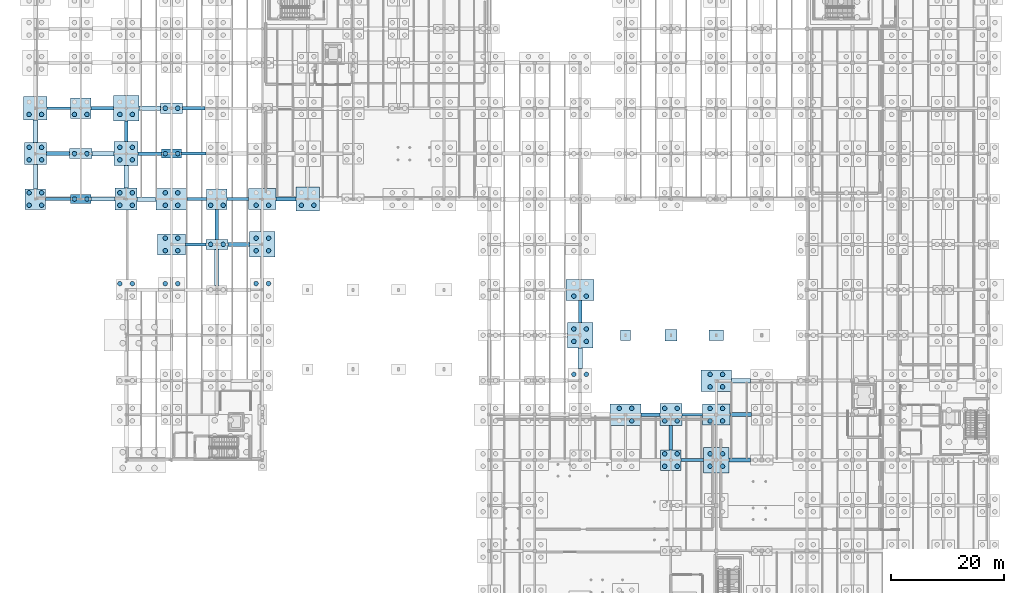
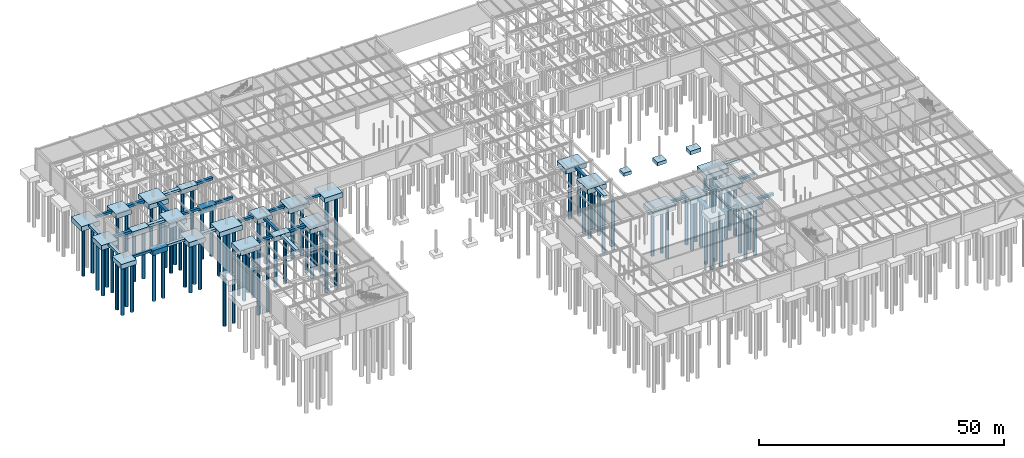
# One storey, part 3 of 71: 87 piles, 60 footings.
"""IFC4 building model written with IfcOpenShell, lengths in metres."""

import ifcopenshell
import ifcopenshell.guid

model = None  # the IFC model being written
_history = None  # IfcOwnerHistory: only IFC2X3 demands one
_inside = {}  # id of a spatial element -> (the spatial element, [elements in it])
_under = {}  # id of a project, library or spatial element -> (it, [spatial elements below it])
_declared = {}  # id of a project -> (the project, [libraries it declares])
_typed = {}  # id of a type object -> (the type object, [elements of that type])
_made_of = {}  # id of a material, layer set ... -> (it, [elements and type objects made of it])


def new_model(schema):
    """Start an empty IFC model of exactly this schema.

    Asked for "IFC4X3", IfcOpenShell would pick the latest addendum, in which some entities
    have other attributes; the version numbers below select the first issue.
    IFC2X3 requires an IfcOwnerHistory on every rooted entity: one is made here for all.
    """
    global model, _history
    if schema == "IFC4X3":
        model = ifcopenshell.file(schema_version=(4, 3, 0, 0))
    else:
        model = ifcopenshell.file(schema=schema)
    _inside.clear()
    _under.clear()
    _declared.clear()
    _typed.clear()
    _made_of.clear()
    _history = None
    if model.schema == "IFC2X3":
        org = make("IfcOrganization", Name="unknown")
        user = make(
            "IfcPersonAndOrganization",
            ThePerson=make("IfcPerson", FamilyName="unknown"),
            TheOrganization=org,
        )
        app = make(
            "IfcApplication",
            ApplicationDeveloper=org,
            Version="unknown",
            ApplicationFullName="unknown",
            ApplicationIdentifier="unknown",
        )
        _history = make(
            "IfcOwnerHistory",
            OwningUser=user,
            OwningApplication=app,
            ChangeAction="ADDED",
            CreationDate=0,
        )
    return model


def make(cls, **values):
    """One entity of the class cls with the attributes given. An attribute that is None is left unset."""
    return model.create_entity(
        cls, **{name: value for name, value in values.items() if value is not None}
    )


def rooted(cls, **values):
    """An entity with a GlobalId (a new one), such as an element, a storey or a relation."""
    return make(cls, GlobalId=ifcopenshell.guid.new(), OwnerHistory=_history, **values)


def si_unit(unit_type, name, prefix=None):
    """IfcSIUnit, for example si_unit("LENGTHUNIT", "METRE", prefix="MILLI")."""
    return make("IfcSIUnit", UnitType=unit_type, Prefix=prefix, Name=name)


def assignment(units):
    """IfcUnitAssignment: the units of a project."""
    return None if units is None else make("IfcUnitAssignment", Units=units)


def point(xyz):
    """IfcCartesianPoint."""
    return None if xyz is None else make("IfcCartesianPoint", Coordinates=xyz)


def direction(xyz):
    """IfcDirection."""
    return None if xyz is None else make("IfcDirection", DirectionRatios=xyz)


def frame(location, z_axis=None, x_axis=None):
    """IfcAxis2Placement3D, a coordinate frame: its origin and axes. An axis left out is left unset."""
    return make(
        "IfcAxis2Placement3D",
        Location=point(location),
        Axis=direction(z_axis),
        RefDirection=direction(x_axis),
    )


def frame_2d(location, x_axis=None):
    """IfcAxis2Placement2D, a coordinate frame in the plane: its origin and x axis."""
    return make(
        "IfcAxis2Placement2D", Location=point(location), RefDirection=direction(x_axis)
    )


def origin():
    """The frame at (0, 0, 0) with its axes left unset."""
    return frame((0.0, 0.0, 0.0))


def origin_2d():
    """The frame at (0, 0) in the plane with its x axis left unset."""
    return frame_2d((0.0, 0.0))


def place(relative_to, where):
    """IfcLocalPlacement: puts the frame where relative to a parent placement (None: the world)."""
    return make(
        "IfcLocalPlacement", PlacementRelTo=relative_to, RelativePlacement=where
    )


def context(
    kind, dimensions, precision=None, world=None, true_north=None, identifier=None
):
    """IfcGeometricRepresentationContext, for example the 3D "Model" context."""
    return make(
        "IfcGeometricRepresentationContext",
        ContextIdentifier=identifier,
        ContextType=kind,
        CoordinateSpaceDimension=dimensions,
        Precision=precision,
        WorldCoordinateSystem=world,
        TrueNorth=true_north,
    )


def subcontext(parent, identifier, kind, view, scale=None):
    """IfcGeometricRepresentationSubContext, for example "Body" below "Model"."""
    return make(
        "IfcGeometricRepresentationSubContext",
        ContextIdentifier=identifier,
        ContextType=kind,
        ParentContext=parent,
        TargetScale=scale,
        TargetView=view,
    )


def project(units=None, contexts=None):
    """IfcProject with its units and contexts."""
    return rooted(
        "IfcProject",
        Name="project",
        RepresentationContexts=contexts,
        UnitsInContext=assignment(units),
    )


def spatial(cls, under=None, at=None, **own):
    """A site, building, storey or space (cls), placed at a placement, below another one or the project."""
    s = rooted(cls, ObjectPlacement=at, **own)
    if under is not None:
        _under.setdefault(under.id(), (under, []))[1].append(s)
    return s


def profile(cls, at=None, kind="AREA", **sizes):
    """A parametric profile (cls). Its sizes go by their IFC names, for example OverallWidth=200.0."""
    return make(cls, ProfileType=kind, Position=at, **sizes)


def rectangle(**sizes):
    """IfcRectangleProfileDef."""
    return profile("IfcRectangleProfileDef", **sizes)


def circle(**sizes):
    """IfcCircleProfileDef."""
    return profile("IfcCircleProfileDef", **sizes)


def extrude(swept, where, along, depth):
    """IfcExtrudedAreaSolid: the profile swept, set in the frame where, extruded along a direction by depth."""
    return make(
        "IfcExtrudedAreaSolid",
        SweptArea=swept,
        Position=where,
        ExtrudedDirection=direction(along),
        Depth=depth,
    )


def shape(context_of_items, identifier, shape_type, items):
    """IfcShapeRepresentation: the items that make up one representation, for example the "Body"."""
    return make(
        "IfcShapeRepresentation",
        ContextOfItems=context_of_items,
        RepresentationIdentifier=identifier,
        RepresentationType=shape_type,
        Items=items,
    )


def material(Name=None, Category=None):
    """IfcMaterial."""
    return make("IfcMaterial", Name=Name, Category=Category)


def material_profile(
    of_material, cross_section, Name=None, Category=None, Priority=None
):
    """IfcMaterialProfile: a cross section and its material."""
    return make(
        "IfcMaterialProfile",
        Name=Name,
        Material=of_material,
        Profile=cross_section,
        Priority=Priority,
        Category=Category,
    )


def profile_set(profiles, Name=None, composite=None):
    """IfcMaterialProfileSet."""
    return make(
        "IfcMaterialProfileSet",
        Name=Name,
        MaterialProfiles=profiles,
        CompositeProfile=composite,
    )


def made_of(thing, what):
    """Note that an element or type object is made of a material, layer set ...; save() writes the relation."""
    if what is not None:
        _made_of.setdefault(what.id(), (what, []))[1].append(thing)
    return thing


def type_object(cls, material=None, **own):
    """A type object (cls), such as IfcWallType, which elements share."""
    return made_of(rooted(cls, **own), material)


def element(
    cls,
    number,
    at=None,
    inside=None,
    cuts=None,
    type_object=None,
    material=None,
    context=None,
    identifier="Body",
    shape_type=None,
    held_by="IfcProductDefinitionShape",
    body=None,
    shapes=None,
    **own,
):
    """One element of the class cls, such as IfcWall. Its Tag is "e" and its number.

    at: its placement. inside: the storey or other place that contains it. cuts: it is an
    opening in that element (IfcRelVoidsElement). A single representation is given by context,
    identifier, shape_type and body (its items); several are given by shapes. held_by: the class
    of the entity that holds the representations. save() writes the other relations.
    """
    e = rooted(cls, Tag="e%d" % number, ObjectPlacement=at, **own)
    if body is not None:
        shapes = [shape(context, identifier, shape_type, body)]
    if shapes is not None:
        e.Representation = make(held_by, Representations=shapes)
    if inside is not None:
        _inside.setdefault(inside.id(), (inside, []))[1].append(e)
    if cuts is not None:
        rooted(
            "IfcRelVoidsElement", RelatingBuildingElement=cuts, RelatedOpeningElement=e
        )
    if type_object is not None:
        _typed.setdefault(type_object.id(), (type_object, []))[1].append(e)
    return made_of(e, material)


def aggregate(whole, parts):
    """IfcRelAggregates: a whole, such as a stair, and the parts it consists of."""
    return rooted("IfcRelAggregates", RelatingObject=whole, RelatedObjects=parts)


def save(model, path):
    """Write the relations noted so far, then the file.

    IfcRelAggregates (storeys below a building ...), IfcRelContainedInSpatialStructure (elements
    in a storey), IfcRelDefinesByType, IfcRelAssociatesMaterial and IfcRelDeclares: one each for
    every whole, place, type object, material and project.
    """
    for whole, parts in _under.values():
        aggregate(whole, parts)
    for where, things in _inside.values():
        rooted(
            "IfcRelContainedInSpatialStructure",
            RelatedElements=things,
            RelatingStructure=where,
        )
    for kind, things in _typed.values():
        rooted("IfcRelDefinesByType", RelatedObjects=things, RelatingType=kind)
    for what, things in _made_of.values():
        rooted("IfcRelAssociatesMaterial", RelatedObjects=things, RelatingMaterial=what)
    for by, libraries in _declared.values():
        rooted("IfcRelDeclares", RelatingContext=by, RelatedDefinitions=libraries)
    model.write(path)


model = new_model("IFC4")

# Units and contexts
model_context = context("Model", 3, precision=1e-05, world=origin(), true_north=direction((0.0, 1.0)))
body_context = subcontext(model_context, "Body", "Model", "MODEL_VIEW")
ifc_project = project(units=[si_unit("LENGTHUNIT", "METRE"), si_unit("AREAUNIT", "SQUARE_METRE"), si_unit("VOLUMEUNIT", "CUBIC_METRE"), si_unit("PLANEANGLEUNIT", "RADIAN"), si_unit("MASSUNIT", "GRAM", prefix="KILO")], contexts=[model_context])

# Site, building, storey
site_placement = place(None, origin())
site = spatial("IfcSite", under=ifc_project, at=site_placement, CompositionType="ELEMENT")
building_placement = place(site_placement, origin())
building = spatial("IfcBuilding", under=site, at=building_placement, Name="Sundkrona Museum", CompositionType="ELEMENT")
storey_placement = place(building_placement, frame((0.0, 0.0, -5.39990234375)))
storey = spatial("IfcBuildingStorey", under=building, at=storey_placement, Name="B1", CompositionType="ELEMENT", Elevation=-5.39990234375)

# Footings
ifc_material = material(Name="Concrete C40/50", Category="concrete")
footing_type_1 = type_object("IfcFootingType", Name="GB-500", PredefinedType="FOOTING_BEAM", material=ifc_material)
footing_1_placement = place(storey_placement, frame((115.77490234375, 32.0, -0.7001953125), z_axis=(0.0, 0.0, 1.0), x_axis=(1.0, 0.0, 0.0)))
element("IfcFooting", 1, at=footing_1_placement, inside=storey, type_object=footing_type_1, Name="Ground Tie Beam GB-X-038", PredefinedType="FOOTING_BEAM", context=body_context, shape_type="SweptSolid", body=[
    extrude(rectangle(XDim=3.949951171875, YDim=0.5, at=origin_2d()), origin(), (0.0, 0.0, 1.0), 0.60009765625),
])
for number, where, z_axis, x_axis, name in (
    (2, (115.75, 40.0, -0.7001953125), (0.0, 0.0, 1.0), (1.0, 0.0, 0.0), "Ground Tie Beam GB-X-050"),
    (3, (28.25, 70.0, -0.7001953125), (0.0, 0.0, 1.0), (1.0, 0.0, 0.0), "Ground Tie Beam GB-X-082"),
):
    element("IfcFooting", number, at=place(storey_placement, frame(where, z_axis=z_axis, x_axis=x_axis)), inside=storey, type_object=footing_type_1, Name=name, PredefinedType="FOOTING_BEAM", context=body_context, shape_type="SweptSolid", body=[
        extrude(rectangle(XDim=3.60009765625, YDim=0.5, at=origin_2d()), origin(), (0.0, 0.0, 1.0), 0.60009765625),
    ])
footing_2_placement = place(storey_placement, frame((4.0, 78.0, -0.7001953125), z_axis=(0.0, 0.0, 1.0), x_axis=(1.0, 0.0, 0.0)))
element("IfcFooting", 4, at=footing_2_placement, inside=storey, type_object=footing_type_1, Name="Ground Tie Beam GB-X-090", PredefinedType="FOOTING_BEAM", context=body_context, shape_type="SweptSolid", body=[
    extrude(rectangle(XDim=4.39990234375, YDim=0.5, at=origin_2d()), origin(), (0.0, 0.0, 1.0), 0.60009765625),
])
footing_3_placement = place(storey_placement, frame((35.675048828125, 78.0, -0.7001953125), z_axis=(0.0, 0.0, 1.0), x_axis=(1.0, 0.0, 0.0)))
element("IfcFooting", 5, at=footing_3_placement, inside=storey, type_object=footing_type_1, Name="Ground Tie Beam GB-X-094", PredefinedType="FOOTING_BEAM", context=body_context, shape_type="SweptSolid", body=[
    extrude(rectangle(XDim=3.75, YDim=0.5, at=origin_2d()), origin(), (0.0, 0.0, 1.0), 0.60009765625),
])
footing_4_placement = place(storey_placement, frame((27.925048828125, 86.0, -0.7001953125), z_axis=(0.0, 0.0, 1.0), x_axis=(1.0, 0.0, 0.0)))
element("IfcFooting", 6, at=footing_4_placement, inside=storey, type_object=footing_type_1, Name="Ground Tie Beam GB-X-114", PredefinedType="FOOTING_BEAM", context=body_context, shape_type="SweptSolid", body=[
    extrude(rectangle(XDim=4.25, YDim=0.5, at=origin_2d()), origin(), (0.0, 0.0, 1.0), 0.60009765625),
])
footing_5_placement = place(storey_placement, frame((4.14990234375, 94.0, -0.7001953125), z_axis=(0.0, 0.0, 1.0), x_axis=(1.0, 0.0, 0.0)))
element("IfcFooting", 7, at=footing_5_placement, inside=storey, type_object=footing_type_1, Name="Ground Tie Beam GB-X-130", PredefinedType="FOOTING_BEAM", context=body_context, shape_type="SweptSolid", body=[
    extrude(rectangle(XDim=4.10009765625, YDim=0.5, at=origin_2d()), origin(), (0.0, 0.0, 1.0), 0.60009765625),
])
footing_type_2 = type_object("IfcFootingType", Name="GB-600", PredefinedType="FOOTING_BEAM", material=ifc_material)
footing_6_placement = place(storey_placement, frame((108.375, 40.0, -0.7001953125), z_axis=(0.0, 0.0, 1.0), x_axis=(1.0, 0.0, 0.0)))
element("IfcFooting", 8, at=footing_6_placement, inside=storey, type_object=footing_type_2, Name="Ground Tie Beam GB-X-049", PredefinedType="FOOTING_BEAM", context=body_context, shape_type="SweptSolid", body=[
    extrude(rectangle(XDim=3.35009765625, YDim=0.60009765625, at=origin_2d()), origin(), (0.0, 0.0, 1.0), 0.60009765625),
])
footing_7_placement = place(storey_placement, frame((28.449951171875, 78.0, -0.7001953125), z_axis=(0.0, 0.0, 1.0), x_axis=(1.0, 0.0, 0.0)))
element("IfcFooting", 9, at=footing_7_placement, inside=storey, type_object=footing_type_2, Name="Ground Tie Beam GB-X-093", PredefinedType="FOOTING_BEAM", context=body_context, shape_type="SweptSolid", body=[
    extrude(rectangle(XDim=3.5, YDim=0.60009765625, at=origin_2d()), origin(), (0.0, 0.0, 1.0), 0.60009765625),
])
footing_8_placement = place(storey_placement, frame((20.14990234375, 86.0, -0.7001953125), z_axis=(0.0, 0.0, 1.0), x_axis=(1.0, 0.0, 0.0)))
element("IfcFooting", 10, at=footing_8_placement, inside=storey, type_object=footing_type_2, Name="Ground Tie Beam GB-X-113", PredefinedType="FOOTING_BEAM", context=body_context, shape_type="SweptSolid", body=[
    extrude(rectangle(XDim=4.10009765625, YDim=0.60009765625, at=origin_2d()), origin(), (0.0, 0.0, 1.0), 0.60009765625),
])
footing_9_placement = place(storey_placement, frame((27.925048828125, 94.0, -0.7001953125), z_axis=(0.0, 0.0, 1.0), x_axis=(1.0, 0.0, 0.0)))
element("IfcFooting", 11, at=footing_9_placement, inside=storey, type_object=footing_type_2, Name="Ground Tie Beam GB-X-133", PredefinedType="FOOTING_BEAM", context=body_context, shape_type="SweptSolid", body=[
    extrude(rectangle(XDim=3.949951171875, YDim=0.60009765625, at=origin_2d()), origin(), (0.0, 0.0, 1.0), 0.60009765625),
])
footing_10_placement = place(storey_placement, frame((16.0, 89.925048828125, -0.7001953125), z_axis=(0.0, 0.0, 1.0), x_axis=(0.0, 1.0, 0.0)))
element("IfcFooting", 12, at=footing_10_placement, inside=storey, type_object=footing_type_2, Name="Ground Tie Beam GB-Y-205", PredefinedType="FOOTING_BEAM", context=body_context, shape_type="SweptSolid", body=[
    extrude(rectangle(XDim=3.64990234375, YDim=0.60009765625, at=origin_2d()), origin(), (0.0, 0.0, 1.0), 0.60009765625),
])
footing_11_placement = place(storey_placement, frame((32.0, 73.550048828125, -0.7001953125), z_axis=(0.0, 0.0, 1.0), x_axis=(0.0, 1.0, 0.0)))
element("IfcFooting", 13, at=footing_11_placement, inside=storey, type_object=footing_type_2, Name="Ground Tie Beam GB-Y-213", PredefinedType="FOOTING_BEAM", context=body_context, shape_type="SweptSolid", body=[
    extrude(rectangle(XDim=5.300048828125, YDim=0.60009765625, at=origin_2d()), origin(), (0.0, 0.0, 1.0), 0.60009765625),
])
footing_12_placement = place(storey_placement, frame((96.0, 58.199951171875, -0.7001953125), z_axis=(0.0, 0.0, 1.0), x_axis=(0.0, 1.0, 0.0)))
element("IfcFooting", 14, at=footing_12_placement, inside=storey, type_object=footing_type_2, Name="Ground Tie Beam GB-Y-245", PredefinedType="FOOTING_BEAM", context=body_context, shape_type="SweptSolid", body=[
    extrude(rectangle(XDim=3.89990234375, YDim=0.60009765625, at=origin_2d()), origin(), (0.0, 0.0, 1.0), 0.60009765625),
])
footing_13_placement = place(storey_placement, frame((112.0, 35.925048828125, -0.7001953125), z_axis=(0.0, 0.0, 1.0), x_axis=(0.0, 1.0, 0.0)))
element("IfcFooting", 15, at=footing_13_placement, inside=storey, type_object=footing_type_2, Name="Ground Tie Beam GB-Y-253", PredefinedType="FOOTING_BEAM", context=body_context, shape_type="SweptSolid", body=[
    extrude(rectangle(XDim=4.25, YDim=0.60009765625, at=origin_2d()), origin(), (0.0, 0.0, 1.0), 0.60009765625),
])
footing_type_3 = type_object("IfcFootingType", Name="GB-700", PredefinedType="FOOTING_BEAM", material=ifc_material)
footing_14_placement = place(storey_placement, frame((124.14990234375, 32.0, -0.7001953125), z_axis=(0.0, 0.0, 1.0), x_axis=(1.0, 0.0, 0.0)))
element("IfcFooting", 16, at=footing_14_placement, inside=storey, type_object=footing_type_3, Name="Ground Tie Beam GB-X-039", PredefinedType="FOOTING_BEAM", context=body_context, shape_type="SweptSolid", body=[
    extrude(rectangle(XDim=3.800048828125, YDim=0.699951171875, at=origin_2d()), origin(), (0.0, 0.0, 1.0), 0.60009765625),
])
footing_15_placement = place(storey_placement, frame((124.324951171875, 40.0, -0.7001953125), z_axis=(0.0, 0.0, 1.0), x_axis=(1.0, 0.0, 0.0)))
element("IfcFooting", 17, at=footing_15_placement, inside=storey, type_object=footing_type_3, Name="Ground Tie Beam GB-X-051", PredefinedType="FOOTING_BEAM", context=body_context, shape_type="SweptSolid", body=[
    extrude(rectangle(XDim=3.75, YDim=0.699951171875, at=origin_2d()), origin(), (0.0, 0.0, 1.0), 0.60009765625),
])
footing_16_placement = place(storey_placement, frame((35.85009765625, 70.0, -0.7001953125), z_axis=(0.0, 0.0, 1.0), x_axis=(1.0, 0.0, 0.0)))
element("IfcFooting", 18, at=footing_16_placement, inside=storey, type_object=footing_type_3, Name="Ground Tie Beam GB-X-083", PredefinedType="FOOTING_BEAM", context=body_context, shape_type="SweptSolid", body=[
    extrude(rectangle(XDim=3.800048828125, YDim=0.699951171875, at=origin_2d()), origin(), (0.0, 0.0, 1.0), 0.60009765625),
])
footing_17_placement = place(storey_placement, frame((11.925048828125, 78.0, -0.7001953125), z_axis=(0.0, 0.0, 1.0), x_axis=(1.0, 0.0, 0.0)))
element("IfcFooting", 19, at=footing_17_placement, inside=storey, type_object=footing_type_3, Name="Ground Tie Beam GB-X-091", PredefinedType="FOOTING_BEAM", context=body_context, shape_type="SweptSolid", body=[
    extrude(rectangle(XDim=4.25, YDim=0.699951171875, at=origin_2d()), origin(), (0.0, 0.0, 1.0), 0.60009765625),
])
footing_18_placement = place(storey_placement, frame((44.175048828125, 78.0, -0.7001953125), z_axis=(0.0, 0.0, 1.0), x_axis=(1.0, 0.0, 0.0)))
element("IfcFooting", 20, at=footing_18_placement, inside=storey, type_object=footing_type_3, Name="Ground Tie Beam GB-X-095", PredefinedType="FOOTING_BEAM", context=body_context, shape_type="SweptSolid", body=[
    extrude(rectangle(XDim=3.449951171875, YDim=0.699951171875, at=origin_2d()), origin(), (0.0, 0.0, 1.0), 0.60009765625),
])
footing_19_placement = place(storey_placement, frame((4.0, 86.0, -0.7001953125), z_axis=(0.0, 0.0, 1.0), x_axis=(1.0, 0.0, 0.0)))
element("IfcFooting", 21, at=footing_19_placement, inside=storey, type_object=footing_type_3, Name="Ground Tie Beam GB-X-111", PredefinedType="FOOTING_BEAM", context=body_context, shape_type="SweptSolid", body=[
    extrude(rectangle(XDim=4.10009765625, YDim=0.699951171875, at=origin_2d()), origin(), (0.0, 0.0, 1.0), 0.60009765625),
])
footing_20_placement = place(storey_placement, frame((11.77490234375, 94.0, -0.7001953125), z_axis=(0.0, 0.0, 1.0), x_axis=(1.0, 0.0, 0.0)))
element("IfcFooting", 22, at=footing_20_placement, inside=storey, type_object=footing_type_3, Name="Ground Tie Beam GB-X-131", PredefinedType="FOOTING_BEAM", context=body_context, shape_type="SweptSolid", body=[
    extrude(rectangle(XDim=3.949951171875, YDim=0.699951171875, at=origin_2d()), origin(), (0.0, 0.0, 1.0), 0.60009765625),
])
footing_21_placement = place(storey_placement, frame((0.0, 81.925048828125, -0.7001953125), z_axis=(0.0, 0.0, 1.0), x_axis=(0.0, 1.0, 0.0)))
element("IfcFooting", 23, at=footing_21_placement, inside=storey, type_object=footing_type_3, Name="Ground Tie Beam GB-Y-195", PredefinedType="FOOTING_BEAM", context=body_context, shape_type="SweptSolid", body=[
    extrude(rectangle(XDim=4.25, YDim=0.699951171875, at=origin_2d()), origin(), (0.0, 0.0, 1.0), 0.60009765625),
])
footing_type_4 = type_object("IfcFootingType", Name="GB-800", PredefinedType="FOOTING_BEAM", material=ifc_material)
for number, where, z_axis, x_axis, name in (
    (24, (124.375, 46.0, -0.7001953125), (0.0, 0.0, 1.0), (1.0, 0.0, 0.0), "Ground Tie Beam GB-X-060"),
    (25, (19.625, 78.0, -0.7001953125), (0.0, 0.0, 1.0), (1.0, 0.0, 0.0), "Ground Tie Beam GB-X-092"),
):
    element("IfcFooting", number, at=place(storey_placement, frame(where, z_axis=z_axis, x_axis=x_axis)), inside=storey, type_object=footing_type_4, Name=name, PredefinedType="FOOTING_BEAM", context=body_context, shape_type="SweptSolid", body=[
        extrude(rectangle(XDim=3.35009765625, YDim=0.800048828125, at=origin_2d()), origin(), (0.0, 0.0, 1.0), 0.60009765625),
    ])
footing_22_placement = place(storey_placement, frame((11.925048828125, 86.0, -0.7001953125), z_axis=(0.0, 0.0, 1.0), x_axis=(1.0, 0.0, 0.0)))
element("IfcFooting", 26, at=footing_22_placement, inside=storey, type_object=footing_type_4, Name="Ground Tie Beam GB-X-112", PredefinedType="FOOTING_BEAM", context=body_context, shape_type="SweptSolid", body=[
    extrude(rectangle(XDim=3.949951171875, YDim=0.800048828125, at=origin_2d()), origin(), (0.0, 0.0, 1.0), 0.60009765625),
])
footing_23_placement = place(storey_placement, frame((20.14990234375, 94.0, -0.7001953125), z_axis=(0.0, 0.0, 1.0), x_axis=(1.0, 0.0, 0.0)))
element("IfcFooting", 27, at=footing_23_placement, inside=storey, type_object=footing_type_4, Name="Ground Tie Beam GB-X-132", PredefinedType="FOOTING_BEAM", context=body_context, shape_type="SweptSolid", body=[
    extrude(rectangle(XDim=3.800048828125, YDim=0.800048828125, at=origin_2d()), origin(), (0.0, 0.0, 1.0), 0.60009765625),
])
for number, where, z_axis, x_axis, name in (
    (28, (0.0, 89.925048828125, -0.7001953125), (0.0, 0.0, 1.0), (0.0, 1.0, 0.0), "Ground Tie Beam GB-Y-196"),
    (29, (16.0, 81.925048828125, -0.7001953125), (0.0, 0.0, 1.0), (0.0, 1.0, 0.0), "Ground Tie Beam GB-Y-204"),
):
    element("IfcFooting", number, at=place(storey_placement, frame(where, z_axis=z_axis, x_axis=x_axis)), inside=storey, type_object=footing_type_4, Name=name, PredefinedType="FOOTING_BEAM", context=body_context, shape_type="SweptSolid", body=[
        extrude(rectangle(XDim=3.949951171875, YDim=0.800048828125, at=origin_2d()), origin(), (0.0, 0.0, 1.0), 0.60009765625),
    ])
footing_24_placement = place(storey_placement, frame((32.0, 65.949951171875, -0.7001953125), z_axis=(0.0, 0.0, 1.0), x_axis=(0.0, 1.0, 0.0)))
element("IfcFooting", 30, at=footing_24_placement, inside=storey, type_object=footing_type_4, Name="Ground Tie Beam GB-Y-212", PredefinedType="FOOTING_BEAM", context=body_context, shape_type="SweptSolid", body=[
    extrude(rectangle(XDim=6.300048828125, YDim=0.800048828125, at=origin_2d()), origin(), (0.0, 0.0, 1.0), 0.60009765625),
])
footing_25_placement = place(storey_placement, frame((96.0, 49.925048828125, -0.7001953125), z_axis=(0.0, 0.0, 1.0), x_axis=(0.0, 1.0, 0.0)))
element("IfcFooting", 31, at=footing_25_placement, inside=storey, type_object=footing_type_4, Name="Ground Tie Beam GB-Y-244", PredefinedType="FOOTING_BEAM", context=body_context, shape_type="SweptSolid", body=[
    extrude(rectangle(XDim=3.64990234375, YDim=0.800048828125, at=origin_2d()), origin(), (0.0, 0.0, 1.0), 0.60009765625),
])

# Piles
ifc_material_profile = material_profile(ifc_material, circle(Radius=0.39990234375, at=origin_2d()), Name="PILE D800")
ifc_profile_set = profile_set([ifc_material_profile], Name="Concrete C40/50")
pile_type = type_object("IfcPileType", Name="P-800", PredefinedType="BORED", material=ifc_profile_set)
for number, where, z_axis, x_axis, name in (
    (32, (-1.10009765625, 76.89990234375, -1.150146484375), (0.0, 0.0, -1.0), (1.0, 0.0, 0.0), "Bored Pile FC-L-1-P01"),
    (33, (1.10009765625, 76.89990234375, -1.150146484375), (0.0, 0.0, -1.0), (1.0, 0.0, 0.0), "Bored Pile FC-L-1-P02"),
    (34, (-1.10009765625, 79.10009765625, -1.150146484375), (0.0, 0.0, -1.0), (1.0, 0.0, 0.0), "Bored Pile FC-L-1-P03"),
    (35, (1.10009765625, 79.10009765625, -1.150146484375), (0.0, 0.0, -1.0), (1.0, 0.0, 0.0), "Bored Pile FC-L-1-P04"),
    (36, (-1.10009765625, 84.89990234375, -1.150146484375), (0.0, 0.0, -1.0), (1.0, 0.0, 0.0), "Bored Pile FC-M-1-P01"),
    (37, (1.10009765625, 84.89990234375, -1.150146484375), (0.0, 0.0, -1.0), (1.0, 0.0, 0.0), "Bored Pile FC-M-1-P02"),
    (38, (-1.10009765625, 87.10009765625, -1.150146484375), (0.0, 0.0, -1.0), (1.0, 0.0, 0.0), "Bored Pile FC-M-1-P03"),
    (39, (1.10009765625, 87.10009765625, -1.150146484375), (0.0, 0.0, -1.0), (1.0, 0.0, 0.0), "Bored Pile FC-M-1-P04"),
    (40, (-1.10009765625, 92.89990234375, -1.150146484375), (0.0, 0.0, -1.0), (1.0, 0.0, 0.0), "Bored Pile FC-N-1-P01"),
    (41, (1.10009765625, 92.89990234375, -1.150146484375), (0.0, 0.0, -1.0), (1.0, 0.0, 0.0), "Bored Pile FC-N-1-P02"),
    (42, (6.89990234375, 78.0, -1.150146484375), (0.0, 0.0, -1.0), (1.0, 0.0, 0.0), "Bored Pile FC-L-2-P01"),
    (43, (9.10009765625, 78.0, -1.150146484375), (0.0, 0.0, -1.0), (1.0, 0.0, 0.0), "Bored Pile FC-L-2-P02"),
    (44, (6.89990234375, 86.0, -1.150146484375), (0.0, 0.0, -1.0), (1.0, 0.0, 0.0), "Bored Pile FC-M-2-P01"),
    (45, (9.10009765625, 86.0, -1.150146484375), (0.0, 0.0, -1.0), (1.0, 0.0, 0.0), "Bored Pile FC-M-2-P02"),
    (46, (6.89990234375, 92.89990234375, -1.150146484375), (0.0, 0.0, -1.0), (1.0, 0.0, 0.0), "Bored Pile FC-N-2-P01"),
    (47, (9.10009765625, 92.89990234375, -1.150146484375), (0.0, 0.0, -1.0), (1.0, 0.0, 0.0), "Bored Pile FC-N-2-P02"),
    (48, (14.89990234375, 63.10009765625, -1.150146484375), (0.0, 0.0, -1.0), (1.0, 0.0, 0.0), "Bored Pile FC-J-3-P03"),
    (49, (17.10009765625, 63.10009765625, -1.150146484375), (0.0, 0.0, -1.0), (1.0, 0.0, 0.0), "Bored Pile FC-J-3-P04"),
    (50, (14.89990234375, 76.89990234375, -1.150146484375), (0.0, 0.0, -1.0), (1.0, 0.0, 0.0), "Bored Pile FC-L-3-P01"),
    (51, (17.10009765625, 76.89990234375, -1.150146484375), (0.0, 0.0, -1.0), (1.0, 0.0, 0.0), "Bored Pile FC-L-3-P02"),
    (52, (14.89990234375, 79.10009765625, -1.150146484375), (0.0, 0.0, -1.0), (1.0, 0.0, 0.0), "Bored Pile FC-L-3-P03"),
    (53, (17.10009765625, 79.10009765625, -1.150146484375), (0.0, 0.0, -1.0), (1.0, 0.0, 0.0), "Bored Pile FC-L-3-P04"),
    (54, (14.89990234375, 84.89990234375, -1.150146484375), (0.0, 0.0, -1.0), (1.0, 0.0, 0.0), "Bored Pile FC-M-3-P01"),
    (55, (17.10009765625, 84.89990234375, -1.150146484375), (0.0, 0.0, -1.0), (1.0, 0.0, 0.0), "Bored Pile FC-M-3-P02"),
    (56, (14.89990234375, 87.10009765625, -1.150146484375), (0.0, 0.0, -1.0), (1.0, 0.0, 0.0), "Bored Pile FC-M-3-P03"),
    (57, (17.10009765625, 87.10009765625, -1.150146484375), (0.0, 0.0, -1.0), (1.0, 0.0, 0.0), "Bored Pile FC-M-3-P04"),
    (58, (14.89990234375, 92.89990234375, -1.150146484375), (0.0, 0.0, -1.0), (1.0, 0.0, 0.0), "Bored Pile FC-N-3-P01"),
    (59, (17.10009765625, 92.89990234375, -1.150146484375), (0.0, 0.0, -1.0), (1.0, 0.0, 0.0), "Bored Pile FC-N-3-P02"),
    (60, (22.89990234375, 63.10009765625, -1.150146484375), (0.0, 0.0, -1.0), (1.0, 0.0, 0.0), "Bored Pile FC-J-4-P03"),
    (61, (25.10009765625, 63.10009765625, -1.150146484375), (0.0, 0.0, -1.0), (1.0, 0.0, 0.0), "Bored Pile FC-J-4-P04"),
    (62, (22.89990234375, 68.89990234375, -1.150146484375), (0.0, 0.0, -1.0), (1.0, 0.0, 0.0), "Bored Pile FC-K-4-P01"),
    (63, (25.10009765625, 68.89990234375, -1.150146484375), (0.0, 0.0, -1.0), (1.0, 0.0, 0.0), "Bored Pile FC-K-4-P02"),
    (64, (22.89990234375, 71.10009765625, -1.150146484375), (0.0, 0.0, -1.0), (1.0, 0.0, 0.0), "Bored Pile FC-K-4-P03"),
    (65, (25.10009765625, 71.10009765625, -1.150146484375), (0.0, 0.0, -1.0), (1.0, 0.0, 0.0), "Bored Pile FC-K-4-P04"),
    (66, (22.89990234375, 76.89990234375, -1.150146484375), (0.0, 0.0, -1.0), (1.0, 0.0, 0.0), "Bored Pile FC-L-4-P01"),
    (67, (25.10009765625, 76.89990234375, -1.150146484375), (0.0, 0.0, -1.0), (1.0, 0.0, 0.0), "Bored Pile FC-L-4-P02"),
    (68, (22.89990234375, 79.10009765625, -1.150146484375), (0.0, 0.0, -1.0), (1.0, 0.0, 0.0), "Bored Pile FC-L-4-P03"),
    (69, (25.10009765625, 79.10009765625, -1.150146484375), (0.0, 0.0, -1.0), (1.0, 0.0, 0.0), "Bored Pile FC-L-4-P04"),
    (70, (22.89990234375, 86.0, -1.150146484375), (0.0, 0.0, -1.0), (1.0, 0.0, 0.0), "Bored Pile FC-M-4-P01"),
    (71, (25.10009765625, 86.0, -1.150146484375), (0.0, 0.0, -1.0), (1.0, 0.0, 0.0), "Bored Pile FC-M-4-P02"),
    (72, (22.89990234375, 94.0, -1.150146484375), (0.0, 0.0, -1.0), (1.0, 0.0, 0.0), "Bored Pile FC-N-4-P01"),
    (73, (25.10009765625, 94.0, -1.150146484375), (0.0, 0.0, -1.0), (1.0, 0.0, 0.0), "Bored Pile FC-N-4-P02"),
    (74, (30.89990234375, 70.0, -1.150146484375), (0.0, 0.0, -1.0), (1.0, 0.0, 0.0), "Bored Pile FC-K-5-P01"),
    (75, (33.10009765625, 70.0, -1.150146484375), (0.0, 0.0, -1.0), (1.0, 0.0, 0.0), "Bored Pile FC-K-5-P02"),
    (76, (30.89990234375, 76.89990234375, -1.150146484375), (0.0, 0.0, -1.0), (1.0, 0.0, 0.0), "Bored Pile FC-L-5-P01"),
    (77, (33.10009765625, 76.89990234375, -1.150146484375), (0.0, 0.0, -1.0), (1.0, 0.0, 0.0), "Bored Pile FC-L-5-P02"),
    (78, (38.89990234375, 63.10009765625, -1.150146484375), (0.0, 0.0, -1.0), (1.0, 0.0, 0.0), "Bored Pile FC-J-6-P03"),
    (79, (41.10009765625, 63.10009765625, -1.150146484375), (0.0, 0.0, -1.0), (1.0, 0.0, 0.0), "Bored Pile FC-J-6-P04"),
    (80, (38.89990234375, 68.89990234375, -1.150146484375), (0.0, 0.0, -1.0), (1.0, 0.0, 0.0), "Bored Pile FC-K-6-P01"),
    (81, (41.10009765625, 68.89990234375, -1.150146484375), (0.0, 0.0, -1.0), (1.0, 0.0, 0.0), "Bored Pile FC-K-6-P02"),
    (82, (38.89990234375, 71.10009765625, -1.150146484375), (0.0, 0.0, -1.0), (1.0, 0.0, 0.0), "Bored Pile FC-K-6-P03"),
    (83, (41.10009765625, 71.10009765625, -1.150146484375), (0.0, 0.0, -1.0), (1.0, 0.0, 0.0), "Bored Pile FC-K-6-P04"),
    (84, (38.89990234375, 76.89990234375, -1.150146484375), (0.0, 0.0, -1.0), (1.0, 0.0, 0.0), "Bored Pile FC-L-6-P01"),
    (85, (41.10009765625, 76.89990234375, -1.150146484375), (0.0, 0.0, -1.0), (1.0, 0.0, 0.0), "Bored Pile FC-L-6-P02"),
    (86, (46.89990234375, 76.89990234375, -1.150146484375), (0.0, 0.0, -1.0), (1.0, 0.0, 0.0), "Bored Pile FC-L-7-P01"),
    (87, (49.10009765625, 76.89990234375, -1.150146484375), (0.0, 0.0, -1.0), (1.0, 0.0, 0.0), "Bored Pile FC-L-7-P02"),
    (88, (94.89990234375, 47.10009765625, -1.150146484375), (0.0, 0.0, -1.0), (1.0, 0.0, 0.0), "Bored Pile FC-G-13-P03"),
    (89, (97.10009765625, 47.10009765625, -1.150146484375), (0.0, 0.0, -1.0), (1.0, 0.0, 0.0), "Bored Pile FC-G-13-P04"),
    (90, (94.89990234375, 52.89990234375, -1.150146484375), (0.0, 0.0, -1.0), (1.0, 0.0, 0.0), "Bored Pile FC-H-13-P01"),
    (91, (97.10009765625, 52.89990234375, -1.150146484375), (0.0, 0.0, -1.0), (1.0, 0.0, 0.0), "Bored Pile FC-H-13-P02"),
    (92, (94.89990234375, 55.10009765625, -1.150146484375), (0.0, 0.0, -1.0), (1.0, 0.0, 0.0), "Bored Pile FC-H-13-P03"),
    (93, (97.10009765625, 55.10009765625, -1.150146484375), (0.0, 0.0, -1.0), (1.0, 0.0, 0.0), "Bored Pile FC-H-13-P04"),
    (94, (94.89990234375, 60.89990234375, -1.150146484375), (0.0, 0.0, -1.0), (1.0, 0.0, 0.0), "Bored Pile FC-J-13-P01"),
    (95, (97.10009765625, 60.89990234375, -1.150146484375), (0.0, 0.0, -1.0), (1.0, 0.0, 0.0), "Bored Pile FC-J-13-P02"),
    (96, (105.10009765625, 38.89990234375, -1.150146484375), (0.0, 0.0, -1.0), (1.0, 0.0, 0.0), "Bored Pile FC-F-14-P02"),
    (97, (102.89990234375, 41.10009765625, -1.150146484375), (0.0, 0.0, -1.0), (1.0, 0.0, 0.0), "Bored Pile FC-F-14-P03"),
    (98, (105.10009765625, 41.10009765625, -1.150146484375), (0.0, 0.0, -1.0), (1.0, 0.0, 0.0), "Bored Pile FC-F-14-P04"),
    (99, (110.89990234375, 30.89990234375, -1.150146484375), (0.0, 0.0, -1.0), (1.0, 0.0, 0.0), "Bored Pile FC-E-15-P01"),
    (100, (113.10009765625, 30.89990234375, -1.150146484375), (0.0, 0.0, -1.0), (1.0, 0.0, 0.0), "Bored Pile FC-E-15-P02"),
    (101, (110.89990234375, 33.10009765625, -1.150146484375), (0.0, 0.0, -1.0), (1.0, 0.0, 0.0), "Bored Pile FC-E-15-P03"),
    (102, (113.10009765625, 33.10009765625, -1.150146484375), (0.0, 0.0, -1.0), (1.0, 0.0, 0.0), "Bored Pile FC-E-15-P04"),
    (103, (110.89990234375, 38.89990234375, -1.150146484375), (0.0, 0.0, -1.0), (1.0, 0.0, 0.0), "Bored Pile FC-F-15-P01"),
    (104, (113.10009765625, 38.89990234375, -1.150146484375), (0.0, 0.0, -1.0), (1.0, 0.0, 0.0), "Bored Pile FC-F-15-P02"),
    (105, (110.89990234375, 41.10009765625, -1.150146484375), (0.0, 0.0, -1.0), (1.0, 0.0, 0.0), "Bored Pile FC-F-15-P03"),
    (106, (113.10009765625, 41.10009765625, -1.150146484375), (0.0, 0.0, -1.0), (1.0, 0.0, 0.0), "Bored Pile FC-F-15-P04"),
    (107, (118.89990234375, 30.89990234375, -1.150146484375), (0.0, 0.0, -1.0), (1.0, 0.0, 0.0), "Bored Pile FC-E-16-P01"),
    (108, (121.10009765625, 30.89990234375, -1.150146484375), (0.0, 0.0, -1.0), (1.0, 0.0, 0.0), "Bored Pile FC-E-16-P02"),
    (109, (118.89990234375, 33.10009765625, -1.150146484375), (0.0, 0.0, -1.0), (1.0, 0.0, 0.0), "Bored Pile FC-E-16-P03"),
    (110, (121.10009765625, 33.10009765625, -1.150146484375), (0.0, 0.0, -1.0), (1.0, 0.0, 0.0), "Bored Pile FC-E-16-P04"),
    (111, (118.89990234375, 38.89990234375, -1.150146484375), (0.0, 0.0, -1.0), (1.0, 0.0, 0.0), "Bored Pile FC-F-16-P01"),
    (112, (121.10009765625, 38.89990234375, -1.150146484375), (0.0, 0.0, -1.0), (1.0, 0.0, 0.0), "Bored Pile FC-F-16-P02"),
    (113, (118.89990234375, 41.10009765625, -1.150146484375), (0.0, 0.0, -1.0), (1.0, 0.0, 0.0), "Bored Pile FC-F-16-P03"),
    (114, (121.10009765625, 41.10009765625, -1.150146484375), (0.0, 0.0, -1.0), (1.0, 0.0, 0.0), "Bored Pile FC-F-16-P04"),
    (115, (118.89990234375, 44.89990234375, -1.150146484375), (0.0, 0.0, -1.0), (1.0, 0.0, 0.0), "Bored Pile FC-G-16-P01"),
    (116, (121.10009765625, 44.89990234375, -1.150146484375), (0.0, 0.0, -1.0), (1.0, 0.0, 0.0), "Bored Pile FC-G-16-P02"),
    (117, (118.89990234375, 47.10009765625, -1.150146484375), (0.0, 0.0, -1.0), (1.0, 0.0, 0.0), "Bored Pile FC-G-16-P03"),
    (118, (121.10009765625, 47.10009765625, -1.150146484375), (0.0, 0.0, -1.0), (1.0, 0.0, 0.0), "Bored Pile FC-G-16-P04"),
):
    element("IfcPile", number, at=place(storey_placement, frame(where, z_axis=z_axis, x_axis=x_axis)), inside=storey, type_object=pile_type, Name=name, PredefinedType="BORED", context=body_context, shape_type="SweptSolid", body=[
        extrude(circle(Radius=0.39990234375, at=origin_2d()), origin(), (0.0, 0.0, 1.0), 12.0),
    ])

# Footings
footing_type_5 = type_object("IfcFootingType", Name="PC-2A", PredefinedType="PILE_CAP", material=ifc_material)
for number, where, z_axis, x_axis, name in (
    (119, (8.0, 78.0, -1.30029296875), (0.0, 0.0, 1.0), (1.0, 0.0, 0.0), "Column Pile Cap L/2"),
    (120, (24.0, 86.0, -1.30029296875), (0.0, 0.0, 1.0), (1.0, 0.0, 0.0), "Column Pile Cap M/4"),
):
    element("IfcFooting", number, at=place(storey_placement, frame(where, z_axis=z_axis, x_axis=x_axis)), inside=storey, type_object=footing_type_5, Name=name, PredefinedType="PILE_CAP", context=body_context, shape_type="SweptSolid", body=[
        extrude(rectangle(XDim=3.60009765625, YDim=1.60009765625, at=origin_2d()), origin(), (0.0, 0.0, 1.0), 1.199951171875),
    ])
footing_type_6 = type_object("IfcFootingType", Name="PC-2B", PredefinedType="PILE_CAP", material=ifc_material)
for number, where, z_axis, x_axis, name in (
    (121, (8.0, 86.0, -1.30029296875), (0.0, 0.0, 1.0), (1.0, 0.0, 0.0), "Column Pile Cap M/2"),
    (122, (24.0, 94.0, -1.30029296875), (0.0, 0.0, 1.0), (1.0, 0.0, 0.0), "Column Pile Cap N/4"),
    (123, (32.0, 70.0, -1.30029296875), (0.0, 0.0, 1.0), (1.0, 0.0, 0.0), "Column Pile Cap K/5"),
):
    element("IfcFooting", number, at=place(storey_placement, frame(where, z_axis=z_axis, x_axis=x_axis)), inside=storey, type_object=footing_type_6, Name=name, PredefinedType="PILE_CAP", context=body_context, shape_type="SweptSolid", body=[
        extrude(rectangle(XDim=3.89990234375, YDim=1.800048828125, at=origin_2d()), origin(), (0.0, 0.0, 1.0), 1.199951171875),
    ])
footing_type_7 = type_object("IfcFootingType", Name="PC-4A", PredefinedType="PILE_CAP", material=ifc_material)
for number, where, z_axis, x_axis, name in (
    (124, (0.0, 78.0, -1.30029296875), (0.0, 0.0, 1.0), (1.0, 0.0, 0.0), "Column Pile Cap L/1"),
    (125, (8.0, 94.0, -1.30029296875), (0.0, 0.0, 1.0), (1.0, 0.0, 0.0), "Column Pile Cap N/2"),
    (126, (32.0, 78.0, -1.30029296875), (0.0, 0.0, 1.0), (1.0, 0.0, 0.0), "Column Pile Cap L/5"),
    (127, (112.0, 32.0, -1.30029296875), (0.0, 0.0, 1.0), (1.0, 0.0, 0.0), "Column Pile Cap E/15"),
):
    element("IfcFooting", number, at=place(storey_placement, frame(where, z_axis=z_axis, x_axis=x_axis)), inside=storey, type_object=footing_type_7, Name=name, PredefinedType="PILE_CAP", context=body_context, shape_type="SweptSolid", body=[
        extrude(rectangle(XDim=3.60009765625, YDim=3.60009765625, at=origin_2d()), origin(), (0.0, 0.0, 1.0), 1.199951171875),
    ])
footing_type_8 = type_object("IfcFootingType", Name="PC-4B", PredefinedType="PILE_CAP", material=ifc_material)
for number, where, z_axis, x_axis, name in (
    (128, (0.0, 86.0, -1.30029296875), (0.0, 0.0, 1.0), (1.0, 0.0, 0.0), "Column Pile Cap M/1"),
    (129, (16.0, 78.0, -1.30029296875), (0.0, 0.0, 1.0), (1.0, 0.0, 0.0), "Column Pile Cap L/3"),
    (130, (112.0, 40.0, -1.30029296875), (0.0, 0.0, 1.0), (1.0, 0.0, 0.0), "Column Pile Cap F/15"),
):
    element("IfcFooting", number, at=place(storey_placement, frame(where, z_axis=z_axis, x_axis=x_axis)), inside=storey, type_object=footing_type_8, Name=name, PredefinedType="PILE_CAP", context=body_context, shape_type="SweptSolid", body=[
        extrude(rectangle(XDim=3.89990234375, YDim=3.89990234375, at=origin_2d()), origin(), (0.0, 0.0, 1.0), 1.199951171875),
    ])
footing_type_9 = type_object("IfcFootingType", Name="PC-4C", PredefinedType="PILE_CAP", material=ifc_material)
for number, where, z_axis, x_axis, name in (
    (131, (0.0, 94.0, -1.30029296875), (0.0, 0.0, 1.0), (1.0, 0.0, 0.0), "Column Pile Cap N/1"),
    (132, (16.0, 86.0, -1.30029296875), (0.0, 0.0, 1.0), (1.0, 0.0, 0.0), "Column Pile Cap M/3"),
    (133, (48.0, 78.0, -1.30029296875), (0.0, 0.0, 1.0), (1.0, 0.0, 0.0), "Column Pile Cap L/7"),
):
    element("IfcFooting", number, at=place(storey_placement, frame(where, z_axis=z_axis, x_axis=x_axis)), inside=storey, type_object=footing_type_9, Name=name, PredefinedType="PILE_CAP", context=body_context, shape_type="SweptSolid", body=[
        extrude(rectangle(XDim=4.199951171875, YDim=4.199951171875, at=origin_2d()), origin(), (0.0, 0.0, 1.0), 1.199951171875),
    ])
footing_type_10 = type_object("IfcFootingType", Name="PC-4D", PredefinedType="PILE_CAP", material=ifc_material)
for number, where, z_axis, x_axis, name in (
    (134, (16.0, 94.0, -1.30029296875), (0.0, 0.0, 1.0), (1.0, 0.0, 0.0), "Column Pile Cap N/3"),
    (135, (40.0, 70.0, -1.30029296875), (0.0, 0.0, 1.0), (1.0, 0.0, 0.0), "Column Pile Cap K/6"),
    (136, (96.0, 54.0, -1.30029296875), (0.0, 0.0, 1.0), (1.0, 0.0, 0.0), "Column Pile Cap H/13"),
    (137, (120.0, 32.0, -1.30029296875), (0.0, 0.0, 1.0), (1.0, 0.0, 0.0), "Column Pile Cap E/16"),
):
    element("IfcFooting", number, at=place(storey_placement, frame(where, z_axis=z_axis, x_axis=x_axis)), inside=storey, type_object=footing_type_10, Name=name, PredefinedType="PILE_CAP", context=body_context, shape_type="SweptSolid", body=[
        extrude(rectangle(XDim=4.5, YDim=4.5, at=origin_2d()), origin(), (0.0, 0.0, 1.0), 1.199951171875),
    ])
footing_type_11 = type_object("IfcFootingType", Name="PC-4E", PredefinedType="PILE_CAP", material=ifc_material)
for number, where, z_axis, x_axis, name in (
    (138, (24.0, 70.0, -1.30029296875), (0.0, 0.0, 1.0), (1.0, 0.0, 0.0), "Column Pile Cap K/4"),
    (139, (40.0, 78.0, -1.30029296875), (0.0, 0.0, 1.0), (1.0, 0.0, 0.0), "Column Pile Cap L/6"),
    (140, (96.0, 62.0, -1.30029296875), (0.0, 0.0, 1.0), (1.0, 0.0, 0.0), "Column Pile Cap J/13"),
    (141, (120.0, 40.0, -1.30029296875), (0.0, 0.0, 1.0), (1.0, 0.0, 0.0), "Column Pile Cap F/16"),
):
    element("IfcFooting", number, at=place(storey_placement, frame(where, z_axis=z_axis, x_axis=x_axis)), inside=storey, type_object=footing_type_11, Name=name, PredefinedType="PILE_CAP", context=body_context, shape_type="SweptSolid", body=[
        extrude(rectangle(XDim=4.89990234375, YDim=3.699951171875, at=origin_2d()), origin(), (0.0, 0.0, 1.0), 1.199951171875),
    ])
footing_type_12 = type_object("IfcFootingType", Name="PC-4F", PredefinedType="PILE_CAP", material=ifc_material)
for number, where, z_axis, x_axis, name in (
    (142, (24.0, 78.0, -1.30029296875), (0.0, 0.0, 1.0), (1.0, 0.0, 0.0), "Column Pile Cap L/4"),
    (143, (104.0, 40.0, -1.30029296875), (0.0, 0.0, 1.0), (1.0, 0.0, 0.0), "Column Pile Cap F/14"),
    (144, (120.0, 46.0, -1.30029296875), (0.0, 0.0, 1.0), (1.0, 0.0, 0.0), "Column Pile Cap G/16"),
):
    element("IfcFooting", number, at=place(storey_placement, frame(where, z_axis=z_axis, x_axis=x_axis)), inside=storey, type_object=footing_type_12, Name=name, PredefinedType="PILE_CAP", context=body_context, shape_type="SweptSolid", body=[
        extrude(rectangle(XDim=5.39990234375, YDim=3.800048828125, at=origin_2d()), origin(), (0.0, 0.0, 1.0), 1.199951171875),
    ])
footing_type_13 = type_object("IfcFootingType", Name="PF-180", PredefinedType="PAD_FOOTING", material=ifc_material)
footing_26_placement = place(storey_placement, frame((104.0, 54.0, -0.89990234375), z_axis=(0.0, 0.0, 1.0), x_axis=(1.0, 0.0, 0.0)))
element("IfcFooting", 145, at=footing_26_placement, inside=storey, type_object=footing_type_13, Name="Courtyard Arcade Pad Footing PF-SC-01", PredefinedType="PAD_FOOTING", context=body_context, shape_type="SweptSolid", body=[
    extrude(rectangle(XDim=1.800048828125, YDim=1.800048828125, at=origin_2d()), origin(), (0.0, 0.0, 1.0), 0.800048828125),
])
footing_type_14 = type_object("IfcFootingType", Name="PF-210", PredefinedType="PAD_FOOTING", material=ifc_material)
footing_27_placement = place(storey_placement, frame((112.0, 54.0, -0.9501953125), z_axis=(0.0, 0.0, 1.0), x_axis=(1.0, 0.0, 0.0)))
element("IfcFooting", 146, at=footing_27_placement, inside=storey, type_object=footing_type_14, Name="Courtyard Arcade Pad Footing PF-SC-02", PredefinedType="PAD_FOOTING", context=body_context, shape_type="SweptSolid", body=[
    extrude(rectangle(XDim=2.10009765625, YDim=2.10009765625, at=origin_2d()), origin(), (0.0, 0.0, 1.0), 0.85009765625),
])
footing_type_15 = type_object("IfcFootingType", Name="PF-250", PredefinedType="PAD_FOOTING", material=ifc_material)
footing_28_placement = place(storey_placement, frame((120.0, 54.0, -1.0), z_axis=(0.0, 0.0, 1.0), x_axis=(1.0, 0.0, 0.0)))
element("IfcFooting", 147, at=footing_28_placement, inside=storey, type_object=footing_type_15, Name="Courtyard Arcade Pad Footing PF-SC-03", PredefinedType="PAD_FOOTING", context=body_context, shape_type="SweptSolid", body=[
    extrude(rectangle(XDim=2.5, YDim=1.89990234375, at=origin_2d()), origin(), (0.0, 0.0, 1.0), 0.89990234375),
])

save(model, "model.ifc")
